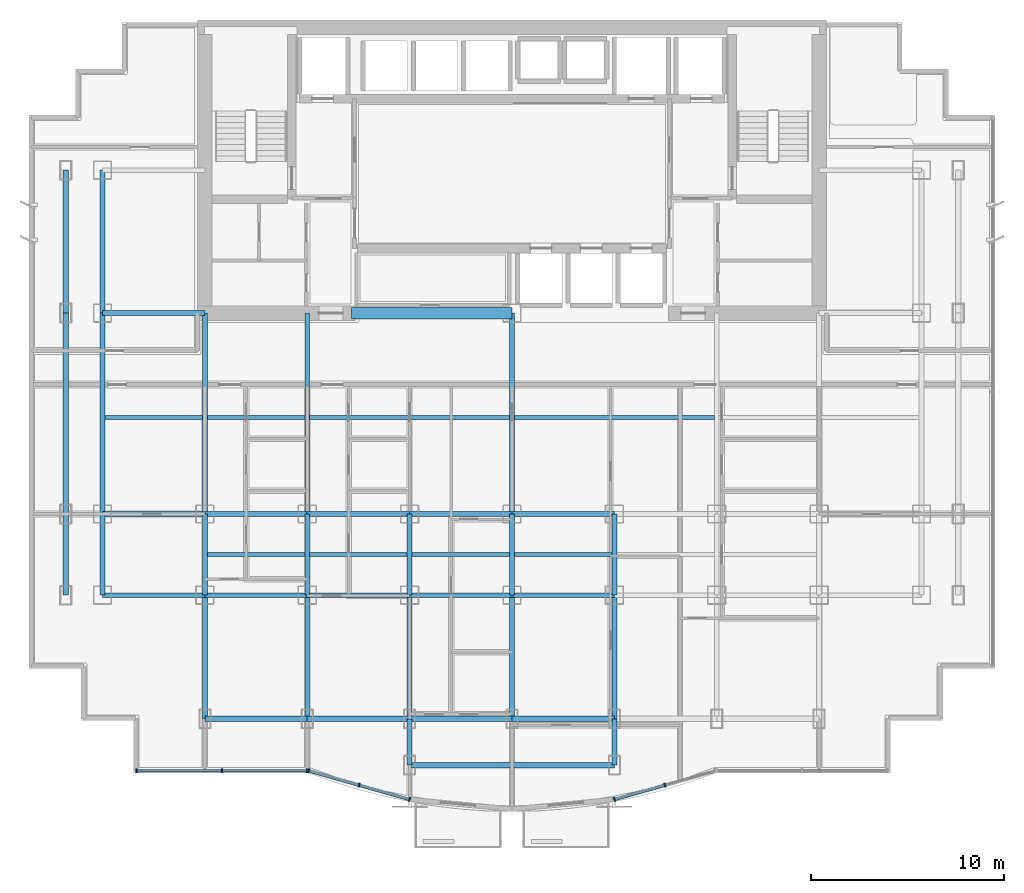
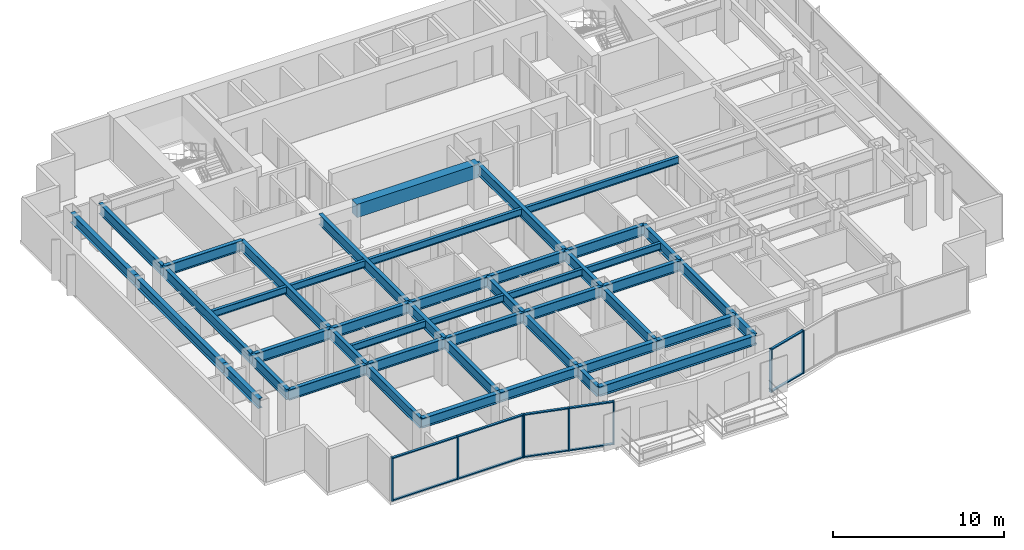
# One storey, part 2 of 12: 46 beams, 18 members, 3 elements without a shape of their own.
"""IFC4 building model written with IfcOpenShell, lengths in metres."""

from ifc_helpers import new_model, si_unit, direction, frame, origin, origin_2d, place, context, subcontext, project, spatial, rectangle, i_section, extrude, source, transform, mapped, material, layer, layer_set, material_profile, profile_set, type_object, element, aggregate, save


model = new_model("IFC4")

# Units and contexts
model_context = context("Model", 3, precision=1e-05, world=origin(), true_north=direction((0.0, 1.0)))
body_context = subcontext(model_context, "Body", "Model", "MODEL_VIEW")
ifc_project = project(units=[si_unit("LENGTHUNIT", "METRE"), si_unit("AREAUNIT", "SQUARE_METRE"), si_unit("VOLUMEUNIT", "CUBIC_METRE"), si_unit("PLANEANGLEUNIT", "RADIAN"), si_unit("MASSUNIT", "GRAM", prefix="KILO")], contexts=[model_context])

# Site, building, storey
site_placement = place(None, origin())
site = spatial("IfcSite", under=ifc_project, at=site_placement, CompositionType="ELEMENT")
building_placement = place(site_placement, origin())
building = spatial("IfcBuilding", under=site, at=building_placement, Name="Qianlan Lanfeng Residences", CompositionType="ELEMENT")
storey_placement = place(building_placement, frame((0.0, 0.0, 121.300048828125)))
storey = spatial("IfcBuildingStorey", under=building, at=storey_placement, Name="L33", CompositionType="ELEMENT", Elevation=121.300048828125)

# Beams
ifc_material_1 = material(Name="Steel SN490B", Category="steel")
ifc_material_profile_1 = material_profile(ifc_material_1, i_section(OverallWidth=0.25, OverallDepth=0.75, WebThickness=0.013916015625, FlangeThickness=0.02490234375, at=origin_2d()), Name="H 750x250x14x25")
ifc_profile_set_1 = profile_set([ifc_material_profile_1], Name="Steel SN490B")
beam_type_1 = type_object("IfcBeamType", Name="G-850", PredefinedType="BEAM", material=ifc_profile_set_1)
beam_1_placement = place(storey_placement, frame((5.300048828125, 10.60009765625, 2.71484375), z_axis=(1.0, 0.0, 0.0), x_axis=(0.0, 1.0, 0.0)))
element("IfcBeam", 1, at=beam_1_placement, inside=storey, type_object=beam_type_1, Name="Structural beam G-850", PredefinedType="BEAM", context=body_context, shape_type="SweptSolid", body=[
    extrude(i_section(OverallWidth=0.25, OverallDepth=0.75, WebThickness=0.013916015625, FlangeThickness=0.02490234375, at=origin_2d()), origin(), (0.0, 0.0, 1.0), 5.300048828125),
])
beam_2_placement = place(storey_placement, frame((10.60009765625, 10.60009765625, 2.71484375), z_axis=(1.0, 0.0, 0.0), x_axis=(0.0, 1.0, 0.0)))
element("IfcBeam", 2, at=beam_2_placement, inside=storey, type_object=beam_type_1, Name="Structural beam G-850", PredefinedType="BEAM", context=body_context, shape_type="SweptSolid", body=[
    extrude(i_section(OverallWidth=0.25, OverallDepth=0.75, WebThickness=0.013916015625, FlangeThickness=0.02490234375, at=origin_2d()), origin(), (0.0, 0.0, 1.0), 5.2998046875),
])
for number, where, z_axis, x_axis, name in (
    (3, (15.89990234375, 10.60009765625, 2.71484375), (1.0, 0.0, 0.0), (0.0, 1.0, 0.0), "Structural beam G-850"),
    (4, (21.199951171875, 10.60009765625, 2.71484375), (1.0, 0.0, 0.0), (0.0, 1.0, 0.0), "Structural beam G-850"),
    (5, (26.5, 10.60009765625, 2.71484375), (1.0, 0.0, 0.0), (0.0, 1.0, 0.0), "Structural beam G-850"),
    (6, (5.300048828125, 14.800048828125, 2.71484375), (1.0, 0.0, 0.0), (0.0, 1.0, 0.0), "Structural beam G-850"),
):
    element("IfcBeam", number, at=place(storey_placement, frame(where, z_axis=z_axis, x_axis=x_axis)), inside=storey, type_object=beam_type_1, Name=name, PredefinedType="BEAM", context=body_context, shape_type="SweptSolid", body=[
        extrude(i_section(OverallWidth=0.25, OverallDepth=0.75, WebThickness=0.013916015625, FlangeThickness=0.02490234375, at=origin_2d()), origin(), (0.0, 0.0, 1.0), 5.300048828125),
    ])
beam_3_placement = place(storey_placement, frame((10.60009765625, 14.800048828125, 2.71484375), z_axis=(1.0, 0.0, 0.0), x_axis=(0.0, 1.0, 0.0)))
element("IfcBeam", 7, at=beam_3_placement, inside=storey, type_object=beam_type_1, Name="Structural beam G-850", PredefinedType="BEAM", context=body_context, shape_type="SweptSolid", body=[
    extrude(i_section(OverallWidth=0.25, OverallDepth=0.75, WebThickness=0.013916015625, FlangeThickness=0.02490234375, at=origin_2d()), origin(), (0.0, 0.0, 1.0), 5.2998046875),
])
for number, where, z_axis, x_axis, name in (
    (8, (15.89990234375, 14.800048828125, 2.71484375), (1.0, 0.0, 0.0), (0.0, 1.0, 0.0), "Structural beam G-850"),
    (9, (21.199951171875, 14.800048828125, 2.71484375), (1.0, 0.0, 0.0), (0.0, 1.0, 0.0), "Structural beam G-850"),
    (10, (26.5, 14.800048828125, 2.71484375), (1.0, 0.0, 0.0), (0.0, 1.0, 0.0), "Structural beam G-850"),
    (11, (5.300048828125, 25.199951171875, 2.71484375), (1.0, 0.0, 0.0), (0.0, 1.0, 0.0), "Structural beam G-850"),
):
    element("IfcBeam", number, at=place(storey_placement, frame(where, z_axis=z_axis, x_axis=x_axis)), inside=storey, type_object=beam_type_1, Name=name, PredefinedType="BEAM", context=body_context, shape_type="SweptSolid", body=[
        extrude(i_section(OverallWidth=0.25, OverallDepth=0.75, WebThickness=0.013916015625, FlangeThickness=0.02490234375, at=origin_2d()), origin(), (0.0, 0.0, 1.0), 5.300048828125),
    ])
beam_4_placement = place(storey_placement, frame((5.300048828125, 10.60009765625, 2.71484375), z_axis=(0.0, 1.0, 0.0), x_axis=(-1.0, 0.0, 0.0)))
element("IfcBeam", 12, at=beam_4_placement, inside=storey, type_object=beam_type_1, Name="Structural beam G-850", PredefinedType="BEAM", context=body_context, shape_type="SweptSolid", body=[
    extrude(i_section(OverallWidth=0.25, OverallDepth=0.75, WebThickness=0.013916015625, FlangeThickness=0.02490234375, at=origin_2d()), origin(), (0.0, 0.0, 1.0), 4.199951171875),
])
beam_5_placement = place(storey_placement, frame((5.300048828125, 14.800048828125, 2.71484375), z_axis=(0.0, 1.0, 0.0), x_axis=(-1.0, 0.0, 0.0)))
element("IfcBeam", 13, at=beam_5_placement, inside=storey, type_object=beam_type_1, Name="Structural beam G-850", PredefinedType="BEAM", context=body_context, shape_type="SweptSolid", body=[
    extrude(i_section(OverallWidth=0.25, OverallDepth=0.75, WebThickness=0.013916015625, FlangeThickness=0.02490234375, at=origin_2d()), origin(), (0.0, 0.0, 1.0), 10.39990234375),
])
beam_6_placement = place(storey_placement, frame((5.300048828125, 25.199951171875, 2.71484375), z_axis=(0.0, 1.0, 0.0), x_axis=(-1.0, 0.0, 0.0)))
element("IfcBeam", 14, at=beam_6_placement, inside=storey, type_object=beam_type_1, Name="Structural beam G-850", PredefinedType="BEAM", context=body_context, shape_type="SweptSolid", body=[
    extrude(i_section(OverallWidth=0.25, OverallDepth=0.75, WebThickness=0.013916015625, FlangeThickness=0.02490234375, at=origin_2d()), origin(), (0.0, 0.0, 1.0), 7.400146484375),
])
beam_7_placement = place(storey_placement, frame((10.60009765625, 4.199951171875, 2.71484375), z_axis=(0.0, 1.0, 0.0), x_axis=(-1.0, 0.0, 0.0)))
element("IfcBeam", 15, at=beam_7_placement, inside=storey, type_object=beam_type_1, Name="Structural beam G-850", PredefinedType="BEAM", context=body_context, shape_type="SweptSolid", body=[
    extrude(i_section(OverallWidth=0.25, OverallDepth=0.75, WebThickness=0.013916015625, FlangeThickness=0.02490234375, at=origin_2d()), origin(), (0.0, 0.0, 1.0), 6.400146484375),
])
beam_8_placement = place(storey_placement, frame((10.60009765625, 10.60009765625, 2.71484375), z_axis=(0.0, 1.0, 0.0), x_axis=(-1.0, 0.0, 0.0)))
element("IfcBeam", 16, at=beam_8_placement, inside=storey, type_object=beam_type_1, Name="Structural beam G-850", PredefinedType="BEAM", context=body_context, shape_type="SweptSolid", body=[
    extrude(i_section(OverallWidth=0.25, OverallDepth=0.75, WebThickness=0.013916015625, FlangeThickness=0.02490234375, at=origin_2d()), origin(), (0.0, 0.0, 1.0), 4.199951171875),
])
beam_9_placement = place(storey_placement, frame((10.60009765625, 14.800048828125, 2.71484375), z_axis=(0.0, 1.0, 0.0), x_axis=(-1.0, 0.0, 0.0)))
element("IfcBeam", 17, at=beam_9_placement, inside=storey, type_object=beam_type_1, Name="Structural beam G-850", PredefinedType="BEAM", context=body_context, shape_type="SweptSolid", body=[
    extrude(i_section(OverallWidth=0.25, OverallDepth=0.75, WebThickness=0.013916015625, FlangeThickness=0.02490234375, at=origin_2d()), origin(), (0.0, 0.0, 1.0), 10.39990234375),
])
beam_10_placement = place(storey_placement, frame((15.89990234375, 4.199951171875, 2.71484375), z_axis=(0.0, 1.0, 0.0), x_axis=(-1.0, 0.0, 0.0)))
element("IfcBeam", 18, at=beam_10_placement, inside=storey, type_object=beam_type_1, Name="Structural beam G-850", PredefinedType="BEAM", context=body_context, shape_type="SweptSolid", body=[
    extrude(i_section(OverallWidth=0.25, OverallDepth=0.75, WebThickness=0.013916015625, FlangeThickness=0.02490234375, at=origin_2d()), origin(), (0.0, 0.0, 1.0), 6.400146484375),
])
beam_11_placement = place(storey_placement, frame((15.89990234375, 10.60009765625, 2.71484375), z_axis=(0.0, 1.0, 0.0), x_axis=(-1.0, 0.0, 0.0)))
element("IfcBeam", 19, at=beam_11_placement, inside=storey, type_object=beam_type_1, Name="Structural beam G-850", PredefinedType="BEAM", context=body_context, shape_type="SweptSolid", body=[
    extrude(i_section(OverallWidth=0.25, OverallDepth=0.75, WebThickness=0.013916015625, FlangeThickness=0.02490234375, at=origin_2d()), origin(), (0.0, 0.0, 1.0), 4.199951171875),
])
beam_12_placement = place(storey_placement, frame((15.89990234375, 14.800048828125, 2.71484375), z_axis=(0.0, 1.0, 0.0), x_axis=(-1.0, 0.0, 0.0)))
element("IfcBeam", 20, at=beam_12_placement, inside=storey, type_object=beam_type_1, Name="Structural beam G-850", PredefinedType="BEAM", context=body_context, shape_type="SweptSolid", body=[
    extrude(i_section(OverallWidth=0.25, OverallDepth=0.75, WebThickness=0.013916015625, FlangeThickness=0.02490234375, at=origin_2d()), origin(), (0.0, 0.0, 1.0), 10.39990234375),
])
beam_13_placement = place(storey_placement, frame((21.199951171875, 1.800048828125, 2.71484375), z_axis=(0.0, 1.0, 0.0), x_axis=(-1.0, 0.0, 0.0)))
element("IfcBeam", 21, at=beam_13_placement, inside=storey, type_object=beam_type_1, Name="Structural beam G-850", PredefinedType="BEAM", context=body_context, shape_type="SweptSolid", body=[
    extrude(i_section(OverallWidth=0.25, OverallDepth=0.75, WebThickness=0.013916015625, FlangeThickness=0.02490234375, at=origin_2d()), origin(), (0.0, 0.0, 1.0), 2.39990234375),
])
beam_14_placement = place(storey_placement, frame((21.199951171875, 4.199951171875, 2.71484375), z_axis=(0.0, 1.0, 0.0), x_axis=(-1.0, 0.0, 0.0)))
element("IfcBeam", 22, at=beam_14_placement, inside=storey, type_object=beam_type_1, Name="Structural beam G-850", PredefinedType="BEAM", context=body_context, shape_type="SweptSolid", body=[
    extrude(i_section(OverallWidth=0.25, OverallDepth=0.75, WebThickness=0.013916015625, FlangeThickness=0.02490234375, at=origin_2d()), origin(), (0.0, 0.0, 1.0), 6.400146484375),
])
beam_15_placement = place(storey_placement, frame((21.199951171875, 10.60009765625, 2.71484375), z_axis=(0.0, 1.0, 0.0), x_axis=(-1.0, 0.0, 0.0)))
element("IfcBeam", 23, at=beam_15_placement, inside=storey, type_object=beam_type_1, Name="Structural beam G-850", PredefinedType="BEAM", context=body_context, shape_type="SweptSolid", body=[
    extrude(i_section(OverallWidth=0.25, OverallDepth=0.75, WebThickness=0.013916015625, FlangeThickness=0.02490234375, at=origin_2d()), origin(), (0.0, 0.0, 1.0), 4.199951171875),
])
beam_16_placement = place(storey_placement, frame((26.5, 4.199951171875, 2.71484375), z_axis=(0.0, 1.0, 0.0), x_axis=(-1.0, 0.0, 0.0)))
element("IfcBeam", 24, at=beam_16_placement, inside=storey, type_object=beam_type_1, Name="Structural beam G-850", PredefinedType="BEAM", context=body_context, shape_type="SweptSolid", body=[
    extrude(i_section(OverallWidth=0.25, OverallDepth=0.75, WebThickness=0.013916015625, FlangeThickness=0.02490234375, at=origin_2d()), origin(), (0.0, 0.0, 1.0), 6.400146484375),
])
beam_17_placement = place(storey_placement, frame((26.5, 10.60009765625, 2.71484375), z_axis=(0.0, 1.0, 0.0), x_axis=(-1.0, 0.0, 0.0)))
element("IfcBeam", 25, at=beam_17_placement, inside=storey, type_object=beam_type_1, Name="Structural beam G-850", PredefinedType="BEAM", context=body_context, shape_type="SweptSolid", body=[
    extrude(i_section(OverallWidth=0.25, OverallDepth=0.75, WebThickness=0.013916015625, FlangeThickness=0.02490234375, at=origin_2d()), origin(), (0.0, 0.0, 1.0), 4.199951171875),
])
beam_18_placement = place(storey_placement, frame((26.5, 14.800048828125, 2.71484375), z_axis=(0.0, 1.0, 0.0), x_axis=(-1.0, 0.0, 0.0)))
element("IfcBeam", 26, at=beam_18_placement, inside=storey, type_object=beam_type_1, Name="Structural beam G-850", PredefinedType="BEAM", context=body_context, shape_type="SweptSolid", body=[
    extrude(i_section(OverallWidth=0.25, OverallDepth=0.75, WebThickness=0.013916015625, FlangeThickness=0.02490234375, at=origin_2d()), origin(), (0.0, 0.0, 1.0), 10.39990234375),
])
beam_19_placement = place(storey_placement, frame((31.800048828125, 1.800048828125, 2.71484375), z_axis=(0.0, 1.0, 0.0), x_axis=(-1.0, 0.0, 0.0)))
element("IfcBeam", 27, at=beam_19_placement, inside=storey, type_object=beam_type_1, Name="Structural beam G-850", PredefinedType="BEAM", context=body_context, shape_type="SweptSolid", body=[
    extrude(i_section(OverallWidth=0.25, OverallDepth=0.75, WebThickness=0.013916015625, FlangeThickness=0.02490234375, at=origin_2d()), origin(), (0.0, 0.0, 1.0), 2.39990234375),
])
beam_20_placement = place(storey_placement, frame((31.800048828125, 4.199951171875, 2.71484375), z_axis=(0.0, 1.0, 0.0), x_axis=(-1.0, 0.0, 0.0)))
element("IfcBeam", 28, at=beam_20_placement, inside=storey, type_object=beam_type_1, Name="Structural beam G-850", PredefinedType="BEAM", context=body_context, shape_type="SweptSolid", body=[
    extrude(i_section(OverallWidth=0.25, OverallDepth=0.75, WebThickness=0.013916015625, FlangeThickness=0.02490234375, at=origin_2d()), origin(), (0.0, 0.0, 1.0), 6.400146484375),
])
beam_21_placement = place(storey_placement, frame((31.800048828125, 10.60009765625, 2.71484375), z_axis=(0.0, 1.0, 0.0), x_axis=(-1.0, 0.0, 0.0)))
element("IfcBeam", 29, at=beam_21_placement, inside=storey, type_object=beam_type_1, Name="Structural beam G-850", PredefinedType="BEAM", context=body_context, shape_type="SweptSolid", body=[
    extrude(i_section(OverallWidth=0.25, OverallDepth=0.75, WebThickness=0.013916015625, FlangeThickness=0.02490234375, at=origin_2d()), origin(), (0.0, 0.0, 1.0), 4.199951171875),
])
ifc_material_profile_2 = material_profile(ifc_material_1, i_section(OverallWidth=0.199951171875, OverallDepth=0.5, WebThickness=0.010009765625, FlangeThickness=0.01611328125, at=origin_2d()), Name="H 500x200x10x16")
ifc_profile_set_2 = profile_set([ifc_material_profile_2], Name="Steel SN490B")
beam_type_2 = type_object("IfcBeamType", Name="J-500", PredefinedType="JOIST", material=ifc_profile_set_2)
beam_22_placement = place(storey_placement, frame((10.72509765625, 12.699951171875, 2.83984375), z_axis=(1.0, 0.0, 0.0), x_axis=(0.0, 1.0, 0.0)))
element("IfcBeam", 30, at=beam_22_placement, inside=storey, type_object=beam_type_2, Name="Structural beam J-500", PredefinedType="JOIST", context=body_context, shape_type="SweptSolid", body=[
    extrude(i_section(OverallWidth=0.199951171875, OverallDepth=0.5, WebThickness=0.010009765625, FlangeThickness=0.01611328125, at=origin_2d()), origin(), (0.0, 0.0, 1.0), 5.0498046875),
])
for number, where, z_axis, x_axis, name in (
    (31, (16.02490234375, 12.699951171875, 2.83984375), (1.0, 0.0, 0.0), (0.0, 1.0, 0.0), "Structural beam J-500"),
    (32, (21.324951171875, 12.699951171875, 2.83984375), (1.0, 0.0, 0.0), (0.0, 1.0, 0.0), "Structural beam J-500"),
    (33, (26.625, 12.699951171875, 2.83984375), (1.0, 0.0, 0.0), (0.0, 1.0, 0.0), "Structural beam J-500"),
    (34, (5.425048828125, 19.800048828125, 2.83984375), (1.0, 0.0, 0.0), (0.0, 1.0, 0.0), "Structural beam J-500"),
):
    element("IfcBeam", number, at=place(storey_placement, frame(where, z_axis=z_axis, x_axis=x_axis)), inside=storey, type_object=beam_type_2, Name=name, PredefinedType="JOIST", context=body_context, shape_type="SweptSolid", body=[
        extrude(i_section(OverallWidth=0.199951171875, OverallDepth=0.5, WebThickness=0.010009765625, FlangeThickness=0.01611328125, at=origin_2d()), origin(), (0.0, 0.0, 1.0), 5.050048828125),
    ])
beam_23_placement = place(storey_placement, frame((10.72509765625, 19.800048828125, 2.83984375), z_axis=(1.0, 0.0, 0.0), x_axis=(0.0, 1.0, 0.0)))
element("IfcBeam", 35, at=beam_23_placement, inside=storey, type_object=beam_type_2, Name="Structural beam J-500", PredefinedType="JOIST", context=body_context, shape_type="SweptSolid", body=[
    extrude(i_section(OverallWidth=0.199951171875, OverallDepth=0.5, WebThickness=0.010009765625, FlangeThickness=0.01611328125, at=origin_2d()), origin(), (0.0, 0.0, 1.0), 5.0498046875),
])
for number, where, z_axis, x_axis, name in (
    (36, (16.02490234375, 19.800048828125, 2.83984375), (1.0, 0.0, 0.0), (0.0, 1.0, 0.0), "Structural beam J-500"),
    (37, (26.625, 19.800048828125, 2.83984375), (1.0, 0.0, 0.0), (0.0, 1.0, 0.0), "Structural beam J-500"),
):
    element("IfcBeam", number, at=place(storey_placement, frame(where, z_axis=z_axis, x_axis=x_axis)), inside=storey, type_object=beam_type_2, Name=name, PredefinedType="JOIST", context=body_context, shape_type="SweptSolid", body=[
        extrude(i_section(OverallWidth=0.199951171875, OverallDepth=0.5, WebThickness=0.010009765625, FlangeThickness=0.01611328125, at=origin_2d()), origin(), (0.0, 0.0, 1.0), 10.35009765625),
    ])
ifc_material_2 = material(Name="Concrete C60", Category="concrete")
ifc_material_profile_3 = material_profile(ifc_material_2, rectangle(XDim=0.60009765625, YDim=0.949951171875, at=origin_2d()), Name="RC 600x950")
ifc_profile_set_3 = profile_set([ifc_material_profile_3], Name="Concrete C60")
beam_type_3 = type_object("IfcBeamType", Name="LB-RC900", PredefinedType="BEAM", material=ifc_profile_set_3)
beam_24_placement = place(storey_placement, frame((18.199951171875, 25.199951171875, 2.614990234375), z_axis=(1.0, 0.0, 0.0), x_axis=(0.0, 1.0, 0.0)))
element("IfcBeam", 38, at=beam_24_placement, inside=storey, type_object=beam_type_3, Name="L33 Core Coupling Beam W", PredefinedType="BEAM", context=body_context, shape_type="SweptSolid", body=[
    extrude(rectangle(XDim=0.60009765625, YDim=0.949951171875, at=origin_2d()), origin(), (0.0, 0.0, 1.0), 8.300048828125),
])
ifc_material_profile_4 = material_profile(ifc_material_1, i_section(OverallWidth=0.300048828125, OverallDepth=0.699951171875, WebThickness=0.012939453125, FlangeThickness=0.02392578125, at=origin_2d()), Name="H 700x300x13x24")
ifc_profile_set_4 = profile_set([ifc_material_profile_4], Name="Steel SN490B")
beam_type_4 = type_object("IfcBeamType", Name="SG-750", PredefinedType="SPANDREL", material=ifc_profile_set_4)
beam_25_placement = place(storey_placement, frame((21.199951171875, 1.800048828125, 2.739990234375), z_axis=(1.0, 0.0, 0.0), x_axis=(0.0, 1.0, 0.0)))
element("IfcBeam", 39, at=beam_25_placement, inside=storey, type_object=beam_type_4, Name="Structural beam SG-750", PredefinedType="SPANDREL", context=body_context, shape_type="SweptSolid", body=[
    extrude(i_section(OverallWidth=0.300048828125, OverallDepth=0.699951171875, WebThickness=0.012939453125, FlangeThickness=0.02392578125, at=origin_2d()), origin(), (0.0, 0.0, 1.0), 10.60009765625),
])
beam_26_placement = place(storey_placement, frame((10.60009765625, 4.199951171875, 2.739990234375), z_axis=(1.0, 0.0, 0.0), x_axis=(0.0, 1.0, 0.0)))
element("IfcBeam", 40, at=beam_26_placement, inside=storey, type_object=beam_type_4, Name="Structural beam SG-750", PredefinedType="SPANDREL", context=body_context, shape_type="SweptSolid", body=[
    extrude(i_section(OverallWidth=0.300048828125, OverallDepth=0.699951171875, WebThickness=0.012939453125, FlangeThickness=0.02392578125, at=origin_2d()), origin(), (0.0, 0.0, 1.0), 5.2998046875),
])
for number, where, z_axis, x_axis, name in (
    (41, (15.89990234375, 4.199951171875, 2.739990234375), (1.0, 0.0, 0.0), (0.0, 1.0, 0.0), "Structural beam SG-750"),
    (42, (21.199951171875, 4.199951171875, 2.739990234375), (1.0, 0.0, 0.0), (0.0, 1.0, 0.0), "Structural beam SG-750"),
    (43, (26.5, 4.199951171875, 2.739990234375), (1.0, 0.0, 0.0), (0.0, 1.0, 0.0), "Structural beam SG-750"),
):
    element("IfcBeam", number, at=place(storey_placement, frame(where, z_axis=z_axis, x_axis=x_axis)), inside=storey, type_object=beam_type_4, Name=name, PredefinedType="SPANDREL", context=body_context, shape_type="SweptSolid", body=[
        extrude(i_section(OverallWidth=0.300048828125, OverallDepth=0.699951171875, WebThickness=0.012939453125, FlangeThickness=0.02392578125, at=origin_2d()), origin(), (0.0, 0.0, 1.0), 5.300048828125),
    ])
beam_27_placement = place(storey_placement, frame((3.39990234375, 10.60009765625, 2.739990234375), z_axis=(0.0, 1.0, 0.0), x_axis=(-1.0, 0.0, 0.0)))
element("IfcBeam", 44, at=beam_27_placement, inside=storey, type_object=beam_type_4, Name="Structural beam SG-750", PredefinedType="SPANDREL", context=body_context, shape_type="SweptSolid", body=[
    extrude(i_section(OverallWidth=0.300048828125, OverallDepth=0.699951171875, WebThickness=0.012939453125, FlangeThickness=0.02392578125, at=origin_2d()), origin(), (0.0, 0.0, 1.0), 4.199951171875),
])
beam_28_placement = place(storey_placement, frame((3.39990234375, 14.800048828125, 2.739990234375), z_axis=(0.0, 1.0, 0.0), x_axis=(-1.0, 0.0, 0.0)))
element("IfcBeam", 45, at=beam_28_placement, inside=storey, type_object=beam_type_4, Name="Structural beam SG-750", PredefinedType="SPANDREL", context=body_context, shape_type="SweptSolid", body=[
    extrude(i_section(OverallWidth=0.300048828125, OverallDepth=0.699951171875, WebThickness=0.012939453125, FlangeThickness=0.02392578125, at=origin_2d()), origin(), (0.0, 0.0, 1.0), 10.39990234375),
])
beam_29_placement = place(storey_placement, frame((3.39990234375, 25.199951171875, 2.739990234375), z_axis=(0.0, 1.0, 0.0), x_axis=(-1.0, 0.0, 0.0)))
element("IfcBeam", 46, at=beam_29_placement, inside=storey, type_object=beam_type_4, Name="Structural beam SG-750", PredefinedType="SPANDREL", context=body_context, shape_type="SweptSolid", body=[
    extrude(i_section(OverallWidth=0.300048828125, OverallDepth=0.699951171875, WebThickness=0.012939453125, FlangeThickness=0.02392578125, at=origin_2d()), origin(), (0.0, 0.0, 1.0), 7.400146484375),
])

# Curtain wall, members
ifc_material_3 = material(Name="Anodised Bronze Aluminium 6063-T6", Category="aluminium")
ifc_layer = layer(ifc_material_3, 0.219970703125)
ifc_layer_set = layer_set([ifc_layer], Name="Anodised Bronze Aluminium 6063-T6")
curtain_wall_type = type_object("IfcCurtainWallType", Name="CW-03", PredefinedType="NOTDEFINED", material=ifc_layer_set)
curtain_wall_1_placement = place(storey_placement, origin())
curtain_wall_1 = element("IfcCurtainWall", 47, at=curtain_wall_1_placement, inside=storey, type_object=curtain_wall_type, Name="L33 Unitised Curtain Wall CWR-L33-01 (CW-03)", PredefinedType="NOTDEFINED")
ifc_material_profile_5 = material_profile(ifc_material_3, rectangle(XDim=0.080078125, YDim=0.159912109375, at=origin_2d()), Name="ALU TRANSOM 80x160")
ifc_profile_set_5 = profile_set([ifc_material_profile_5], Name="Anodised Bronze Aluminium 6063-T6")
member_type_1 = type_object("IfcMemberType", Name="CWT-180", PredefinedType="USERDEFINED", material=ifc_profile_set_5)
shared_shape_1 = source(origin(), body_context, "Body", "SweptSolid", [
    extrude(rectangle(XDim=0.080078125, YDim=0.159912109375, at=origin_2d()), origin(), (0.0, 0.0, 1.0), 4.34033203125),
])
member_1_placement = place(storey_placement, frame((7.10009765625, 1.52001953125, 0.0400390625), z_axis=(1.0, 0.0, 0.0), x_axis=(0.0, 0.0, 1.0)))
member_1 = element("IfcMember", 48, at=member_1_placement, type_object=member_type_1, Name="CWR-L33-01 Transom 1-BOT", ObjectType="TRANSOM", PredefinedType="USERDEFINED", context=body_context, shape_type="MappedRepresentation", body=[
    mapped(shared_shape_1, transform((0.0, 0.0, 0.0), scale=1.0)),
])
member_2_placement = place(storey_placement, frame((7.10009765625, 1.52001953125, 3.050048828125), z_axis=(1.0, 0.0, 0.0), x_axis=(0.0, 0.0, 1.0)))
member_2 = element("IfcMember", 49, at=member_2_placement, type_object=member_type_1, Name="CWR-L33-01 Transom 1-TOP", ObjectType="TRANSOM", PredefinedType="USERDEFINED", context=body_context, shape_type="MappedRepresentation", body=[
    mapped(shared_shape_1, transform((0.0, 0.0, 0.0), scale=1.0)),
])
shared_shape_2 = source(origin(), body_context, "Body", "SweptSolid", [
    extrude(rectangle(XDim=0.080078125, YDim=0.159912109375, at=origin_2d()), origin(), (0.0, 0.0, 1.0), 4.340576171875),
])
member_3_placement = place(storey_placement, frame((11.5205078125, 1.52001953125, 0.0400390625), z_axis=(1.0, 0.0, 0.0), x_axis=(0.0, 0.0, 1.0)))
member_3 = element("IfcMember", 50, at=member_3_placement, type_object=member_type_1, Name="CWR-L33-01 Transom 2-BOT", ObjectType="TRANSOM", PredefinedType="USERDEFINED", context=body_context, shape_type="MappedRepresentation", body=[
    mapped(shared_shape_2, transform((0.0, 0.0, 0.0), scale=1.0)),
])
member_4_placement = place(storey_placement, frame((11.5205078125, 1.52001953125, 3.050048828125), z_axis=(1.0, 0.0, 0.0), x_axis=(0.0, 0.0, 1.0)))
member_4 = element("IfcMember", 51, at=member_4_placement, type_object=member_type_1, Name="CWR-L33-01 Transom 2-TOP", ObjectType="TRANSOM", PredefinedType="USERDEFINED", context=body_context, shape_type="MappedRepresentation", body=[
    mapped(shared_shape_2, transform((0.0, 0.0, 0.0), scale=1.0)),
])

curtain_wall_2_placement = place(storey_placement, origin())
curtain_wall_2 = element("IfcCurtainWall", 52, at=curtain_wall_2_placement, inside=storey, type_object=curtain_wall_type, Name="L33 Unitised Curtain Wall CWR-L33-02 (CW-03)", PredefinedType="NOTDEFINED")
shared_shape_3 = source(origin(), body_context, "Body", "SweptSolid", [
    extrude(rectangle(XDim=0.080078125, YDim=0.159912109375, at=origin_2d()), origin(), (0.0, 0.0, 1.0), 2.630126953125),
])
member_5_placement = place(storey_placement, frame((16.01806640625, 1.498291015625, 0.0400390625), z_axis=(0.961960587005, -0.273188266675, 0.0), x_axis=(0.0, 0.0, 1.0)))
member_5 = element("IfcMember", 53, at=member_5_placement, type_object=member_type_1, Name="CWR-L33-02 Transom 1-BOT", ObjectType="TRANSOM", PredefinedType="USERDEFINED", context=body_context, shape_type="MappedRepresentation", body=[
    mapped(shared_shape_3, transform((0.0, 0.0, 0.0), scale=1.0)),
])
member_6_placement = place(storey_placement, frame((16.01806640625, 1.498291015625, 3.050048828125), z_axis=(0.961960587005, -0.273188266675, 0.0), x_axis=(0.0, 0.0, 1.0)))
member_6 = element("IfcMember", 54, at=member_6_placement, type_object=member_type_1, Name="CWR-L33-02 Transom 1-TOP", ObjectType="TRANSOM", PredefinedType="USERDEFINED", context=body_context, shape_type="MappedRepresentation", body=[
    mapped(shared_shape_3, transform((0.0, 0.0, 0.0), scale=1.0)),
])
member_7_placement = place(storey_placement, frame((18.625, 0.758056640625, 0.0400390625), z_axis=(0.961984978242, -0.273102364758, 0.0), x_axis=(0.0, 0.0, 1.0)))
member_7 = element("IfcMember", 55, at=member_7_placement, type_object=member_type_1, Name="CWR-L33-02 Transom 2-BOT", ObjectType="TRANSOM", PredefinedType="USERDEFINED", context=body_context, shape_type="MappedRepresentation", body=[
    mapped(shared_shape_3, transform((0.0, 0.0, 0.0), scale=1.0)),
])
member_8_placement = place(storey_placement, frame((18.625, 0.758056640625, 3.050048828125), z_axis=(0.961984978242, -0.273102364758, 0.0), x_axis=(0.0, 0.0, 1.0)))
member_8 = element("IfcMember", 56, at=member_8_placement, type_object=member_type_1, Name="CWR-L33-02 Transom 2-TOP", ObjectType="TRANSOM", PredefinedType="USERDEFINED", context=body_context, shape_type="MappedRepresentation", body=[
    mapped(shared_shape_3, transform((0.0, 0.0, 0.0), scale=1.0)),
])

curtain_wall_3_placement = place(storey_placement, origin())
curtain_wall_3 = element("IfcCurtainWall", 57, at=curtain_wall_3_placement, inside=storey, type_object=curtain_wall_type, Name="L33 Unitised Curtain Wall CWR-L33-03 (CW-03)", PredefinedType="NOTDEFINED")
member_9_placement = place(storey_placement, frame((31.844970703125, 0.039794921875, 0.0400390625), z_axis=(0.961984978242, 0.273102364758, 0.0), x_axis=(0.0, 0.0, 1.0)))
member_9 = element("IfcMember", 58, at=member_9_placement, type_object=member_type_1, Name="CWR-L33-03 Transom 1-BOT", ObjectType="TRANSOM", PredefinedType="USERDEFINED", context=body_context, shape_type="MappedRepresentation", body=[
    mapped(shared_shape_3, transform((0.0, 0.0, 0.0), scale=1.0)),
])
member_10_placement = place(storey_placement, frame((31.844970703125, 0.039794921875, 3.050048828125), z_axis=(0.961984978242, 0.273102364758, 0.0), x_axis=(0.0, 0.0, 1.0)))
member_10 = element("IfcMember", 59, at=member_10_placement, type_object=member_type_1, Name="CWR-L33-03 Transom 1-TOP", ObjectType="TRANSOM", PredefinedType="USERDEFINED", context=body_context, shape_type="MappedRepresentation", body=[
    mapped(shared_shape_3, transform((0.0, 0.0, 0.0), scale=1.0)),
])

# Member
ifc_material_profile_6 = material_profile(ifc_material_3, rectangle(XDim=0.080078125, YDim=0.2099609375, at=origin_2d()), Name="ALU MULLION 80x210")
ifc_profile_set_6 = profile_set([ifc_material_profile_6], Name="Anodised Bronze Aluminium 6063-T6")
member_type_2 = type_object("IfcMemberType", Name="CWM-220", PredefinedType="MULLION", material=ifc_profile_set_6)
shared_shape_4 = source(origin(), body_context, "Body", "SweptSolid", [
    extrude(rectangle(XDim=0.080078125, YDim=0.2099609375, at=origin_2d()), origin(), (0.0, 0.0, 1.0), 3.08984375),
])
member_11_placement = place(storey_placement, frame((7.06005859375, 1.52001953125, 0.0), z_axis=(0.0, 0.0, 1.0), x_axis=(1.0, 0.0, 0.0)))
member_11 = element("IfcMember", 60, at=member_11_placement, type_object=member_type_2, Name="CWR-L33-01 Mullion 1", PredefinedType="MULLION", context=body_context, shape_type="MappedRepresentation", body=[
    mapped(shared_shape_4, transform((0.0, 0.0, 0.0), scale=1.0)),
])

member_12_placement = place(storey_placement, frame((11.48046875, 1.52001953125, 0.0), z_axis=(0.0, 0.0, 1.0), x_axis=(1.0, 0.0, 0.0)))
member_12 = element("IfcMember", 61, at=member_12_placement, type_object=member_type_2, Name="CWR-L33-01 Mullion 2", PredefinedType="MULLION", context=body_context, shape_type="MappedRepresentation", body=[
    mapped(shared_shape_4, transform((0.0, 0.0, 0.0), scale=1.0)),
])

member_13_placement = place(storey_placement, frame((15.90087890625, 1.52001953125, 0.0), z_axis=(0.0, 0.0, 1.0), x_axis=(1.0, 0.0, 0.0)))
member_13 = element("IfcMember", 62, at=member_13_placement, type_object=member_type_2, Name="CWR-L33-01 Mullion 3", PredefinedType="MULLION", context=body_context, shape_type="MappedRepresentation", body=[
    mapped(shared_shape_4, transform((0.0, 0.0, 0.0), scale=1.0)),
])

aggregate(curtain_wall_1, [member_11, member_12, member_13, member_1, member_2, member_3, member_4])

member_14_placement = place(storey_placement, frame((15.9794921875, 1.509033203125, 0.0), z_axis=(0.0, 0.0, 1.0), x_axis=(0.961989074302, -0.273087936247, 0.0)))
member_14 = element("IfcMember", 63, at=member_14_placement, type_object=member_type_2, Name="CWR-L33-02 Mullion 1", PredefinedType="MULLION", context=body_context, shape_type="MappedRepresentation", body=[
    mapped(shared_shape_4, transform((0.0, 0.0, 0.0), scale=1.0)),
])

member_15_placement = place(storey_placement, frame((18.58642578125, 0.76904296875, 0.0), z_axis=(0.0, 0.0, 1.0), x_axis=(0.961989074302, -0.273087936247, 0.0)))
member_15 = element("IfcMember", 64, at=member_15_placement, type_object=member_type_2, Name="CWR-L33-02 Mullion 2", PredefinedType="MULLION", context=body_context, shape_type="MappedRepresentation", body=[
    mapped(shared_shape_4, transform((0.0, 0.0, 0.0), scale=1.0)),
])

member_16_placement = place(storey_placement, frame((21.193603515625, 0.02880859375, 0.0), z_axis=(0.0, 0.0, 1.0), x_axis=(0.961989074302, -0.273087936247, 0.0)))
member_16 = element("IfcMember", 65, at=member_16_placement, type_object=member_type_2, Name="CWR-L33-02 Mullion 3", PredefinedType="MULLION", context=body_context, shape_type="MappedRepresentation", body=[
    mapped(shared_shape_4, transform((0.0, 0.0, 0.0), scale=1.0)),
])

aggregate(curtain_wall_2, [member_14, member_15, member_16, member_5, member_6, member_7, member_8])

member_17_placement = place(storey_placement, frame((31.806396484375, 0.02880859375, 0.0), z_axis=(0.0, 0.0, 1.0), x_axis=(0.961989074302, 0.273087936247, 0.0)))
member_17 = element("IfcMember", 66, at=member_17_placement, type_object=member_type_2, Name="CWR-L33-03 Mullion 1", PredefinedType="MULLION", context=body_context, shape_type="MappedRepresentation", body=[
    mapped(shared_shape_4, transform((0.0, 0.0, 0.0), scale=1.0)),
])

member_18_placement = place(storey_placement, frame((34.41357421875, 0.76904296875, 0.0), z_axis=(0.0, 0.0, 1.0), x_axis=(0.961989074302, 0.273087936247, 0.0)))
member_18 = element("IfcMember", 67, at=member_18_placement, type_object=member_type_2, Name="CWR-L33-03 Mullion 2", PredefinedType="MULLION", context=body_context, shape_type="MappedRepresentation", body=[
    mapped(shared_shape_4, transform((0.0, 0.0, 0.0), scale=1.0)),
])

aggregate(curtain_wall_3, [member_17, member_18, member_9, member_10])

save(model, "model.ifc")
